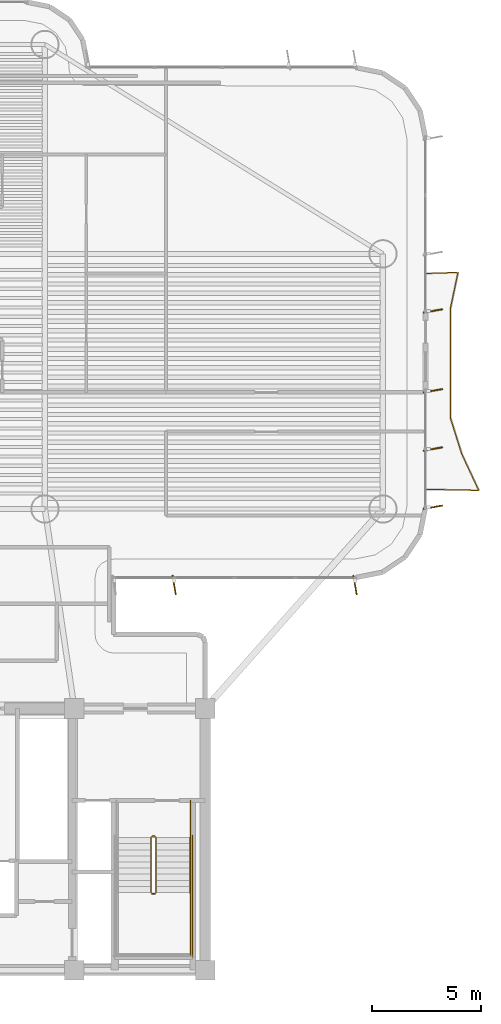
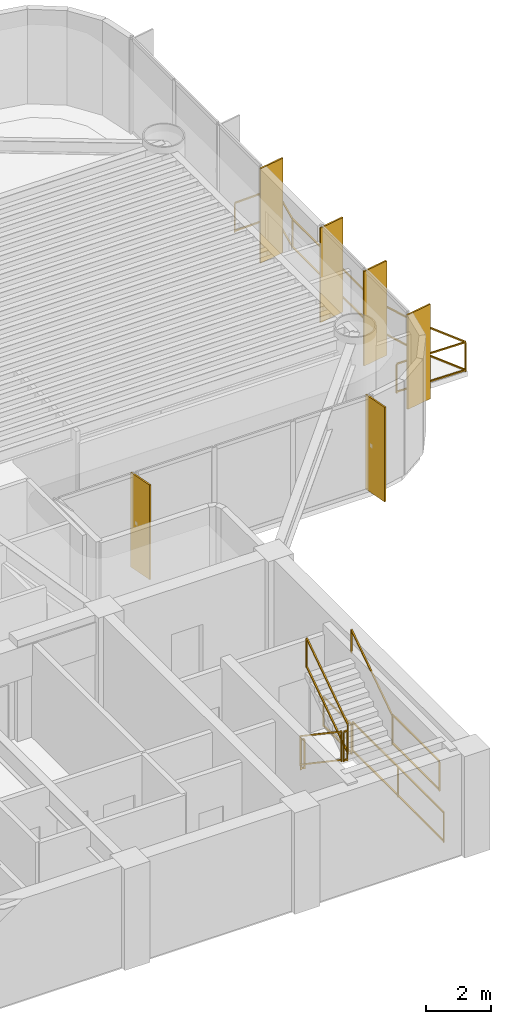
# One storey, part 15 of 16: 9 railings, 6 shading devices.
"""IFC4 building model written with IfcOpenShell, lengths in metres."""

from ifc_helpers import new_model, si_unit, direction, frame, origin, origin_2d, place, context, subcontext, project, spatial, rectangle, extrude, source, transform, mapped, material, layer, layer_set, material_profile, profile_set, type_object, element, save


model = new_model("IFC4")

# Units and contexts
model_context = context("Model", 3, precision=1e-05, world=origin(), true_north=direction((0.0, 1.0)))
body_context = subcontext(model_context, "Body", "Model", "MODEL_VIEW")
ifc_project = project(units=[si_unit("LENGTHUNIT", "METRE"), si_unit("AREAUNIT", "SQUARE_METRE"), si_unit("VOLUMEUNIT", "CUBIC_METRE"), si_unit("PLANEANGLEUNIT", "RADIAN"), si_unit("MASSUNIT", "GRAM", prefix="KILO")], contexts=[model_context])

# Site, building, storey
site_placement = place(None, origin())
site = spatial("IfcSite", under=ifc_project, at=site_placement, CompositionType="ELEMENT")
building_placement = place(site_placement, origin())
building = spatial("IfcBuilding", under=site, at=building_placement, Name="Brelvock Crest Care Tower", CompositionType="ELEMENT")
storey_placement = place(building_placement, frame((0.0, 0.0, 138.9599609375)))
storey = spatial("IfcBuildingStorey", under=building, at=storey_placement, Name="L35", CompositionType="ELEMENT", Elevation=138.9599609375)

# Railings
ifc_material_1 = material(Name="Dark Glass Double Glazed Low-E", Category="glass")
ifc_layer_1 = layer(ifc_material_1, 0.06005859375, Name="RL-BAL1")
ifc_layer_set_1 = layer_set([ifc_layer_1], Name="Dark Glass Double Glazed Low-E")
railing_type_1 = type_object("IfcRailingType", Name="RL-BAL1", PredefinedType="BALUSTRADE", material=ifc_layer_set_1)
railing_1_placement = place(storey_placement, frame((58.139892578125, 28.050048828125, 0.004150390625)))
element("IfcRailing", 1, at=railing_1_placement, inside=storey, type_object=railing_type_1, Name="L35 Safety Balustrade WB-E", PredefinedType="BALUSTRADE", context=body_context, shape_type="SweptSolid", body=[
    extrude(rectangle(XDim=0.048095703125, YDim=0.048095703125, at=origin_2d()), frame((0.001953125, 0.0, 1.09619140625), z_axis=(0.999783496855, -0.020807676838, 0.0), x_axis=(0.020807676838, 0.999783496855, 0.0)), (0.0, 0.0, 1.0), 2.4013671875),
    extrude(rectangle(XDim=0.048095703125, YDim=0.048095703125, at=origin_2d()), frame((0.001953125, 0.0, 0.054931640625), z_axis=(0.999783496855, -0.020807676838, 0.0), x_axis=(0.020807676838, 0.999783496855, 0.0)), (0.0, 0.0, 1.0), 2.4013671875),
    extrude(rectangle(XDim=0.048095703125, YDim=0.048095703125, at=origin_2d()), frame((2.404052734375, -0.04833984375, 1.09619140625), z_axis=(-0.423219639169, 0.906027117156, 0.0), x_axis=(-0.906027117156, -0.423219639169, 0.0)), (0.0, 0.0, 1.0), 1.835693359375),
    extrude(rectangle(XDim=0.048095703125, YDim=0.048095703125, at=origin_2d()), frame((2.404052734375, -0.04833984375, 0.054931640625), z_axis=(-0.423219639169, 0.906027117156, 0.0), x_axis=(-0.906027117156, -0.423219639169, 0.0)), (0.0, 0.0, 1.0), 1.835693359375),
    extrude(rectangle(XDim=0.048095703125, YDim=0.048095703125, at=origin_2d()), frame((1.625732421875, 1.61865234375, 1.09619140625), z_axis=(-0.30105782115, 0.953605887316, 0.0), x_axis=(-0.953605887316, -0.30105782115, 0.0)), (0.0, 0.0, 1.0), 1.74365234375),
    extrude(rectangle(XDim=0.048095703125, YDim=0.048095703125, at=origin_2d()), frame((1.625732421875, 1.61865234375, 0.054931640625), z_axis=(-0.30105782115, 0.953605887316, 0.0), x_axis=(-0.953605887316, -0.30105782115, 0.0)), (0.0, 0.0, 1.0), 1.74365234375),
    extrude(rectangle(XDim=0.048095703125, YDim=0.048095703125, at=origin_2d()), frame((1.10009765625, 3.28515625, 1.09619140625), z_axis=(0.0, 1.0, 0.0), x_axis=(-1.0, 0.0, 0.0)), (0.0, 0.0, 1.0), 4.99609375),
    extrude(rectangle(XDim=0.048095703125, YDim=0.048095703125, at=origin_2d()), frame((1.10009765625, 3.28515625, 0.054931640625), z_axis=(0.0, 1.0, 0.0), x_axis=(-1.0, 0.0, 0.0)), (0.0, 0.0, 1.0), 4.99609375),
    extrude(rectangle(XDim=0.048095703125, YDim=0.048095703125, at=origin_2d()), frame((1.1005859375, 8.28515625, 1.09619140625), z_axis=(0.205562541209, 0.978643981053, 0.0), x_axis=(-0.978643981053, 0.205562541209, 0.0)), (0.0, 0.0, 1.0), 1.69921875),
    extrude(rectangle(XDim=0.048095703125, YDim=0.048095703125, at=origin_2d()), frame((1.1005859375, 8.28515625, 0.054931640625), z_axis=(0.205562541209, 0.978643981053, 0.0), x_axis=(-0.978643981053, 0.205562541209, 0.0)), (0.0, 0.0, 1.0), 1.69921875),
    extrude(rectangle(XDim=0.048095703125, YDim=0.048095703125, at=origin_2d()), frame((1.4482421875, 9.949951171875, 1.09619140625), z_axis=(-0.999404999824, -0.034491249994, 0.0), x_axis=(0.034491249994, -0.999404999824, 0.0)), (0.0, 0.0, 1.0), 1.447021484375),
    extrude(rectangle(XDim=0.048095703125, YDim=0.048095703125, at=origin_2d()), frame((1.4482421875, 9.949951171875, 0.054931640625), z_axis=(-0.999404999824, -0.034491249994, 0.0), x_axis=(0.034491249994, -0.999404999824, 0.0)), (0.0, 0.0, 1.0), 1.447021484375),
    extrude(rectangle(XDim=0.0419921875, YDim=0.0419921875, at=origin_2d()), origin(), (0.0, 0.0, 1.0), 1.070068359375),
    extrude(rectangle(XDim=0.0419921875, YDim=0.0419921875, at=origin_2d()), frame((2.40478515625, -0.050048828125, 0.0)), (0.0, 0.0, 1.0), 1.070068359375),
    extrude(rectangle(XDim=0.0419921875, YDim=0.0419921875, at=origin_2d()), frame((1.626220703125, 1.61669921875, 0.0)), (0.0, 0.0, 1.0), 1.070068359375),
    extrude(rectangle(XDim=0.0419921875, YDim=0.0419921875, at=origin_2d()), frame((1.10009765625, 3.283203125, 0.0)), (0.0, 0.0, 1.0), 1.070068359375),
    extrude(rectangle(XDim=0.0419921875, YDim=0.0419921875, at=origin_2d()), frame((1.10009765625, 5.783203125, 0.0)), (0.0, 0.0, 1.0), 1.070068359375),
    extrude(rectangle(XDim=0.0419921875, YDim=0.0419921875, at=origin_2d()), frame((1.10009765625, 8.283203125, 0.0)), (0.0, 0.0, 1.0), 1.070068359375),
    extrude(rectangle(XDim=0.0419921875, YDim=0.0419921875, at=origin_2d()), frame((1.4501953125, 9.949951171875, 0.0)), (0.0, 0.0, 1.0), 1.070068359375),
    extrude(rectangle(XDim=0.0419921875, YDim=0.0419921875, at=origin_2d()), frame((0.0, 9.89990234375, 0.0)), (0.0, 0.0, 1.0), 1.070068359375),
])
ifc_material_2 = material(Name="Steel Grade 350", Category="steel")
ifc_layer_2 = layer(ifc_material_2, 0.050048828125, Name="RL-STG1")
ifc_layer_set_2 = layer_set([ifc_layer_2], Name="Steel Grade 350")
railing_type_2 = type_object("IfcRailingType", Name="RL-STG1", PredefinedType="GUARDRAIL", material=ifc_layer_set_2)
railing_2_placement = place(storey_placement, frame((45.52001953125, 12.080078125, 0.18896484375)))
element("IfcRailing", 2, at=railing_2_placement, inside=storey, type_object=railing_type_2, Name="L35 ST-2 stair guard 1", PredefinedType="GUARDRAIL", context=body_context, shape_type="SweptSolid", body=[
    extrude(rectangle(XDim=0.048095703125, YDim=0.048095703125, at=origin_2d()), frame((0.0, -0.001708984375, 1.116943359375), z_axis=(0.0, -0.82882447046, 0.559508710537), x_axis=(1.0, 0.0, 0.0)), (0.0, 0.0, 1.0), 3.036376953125),
    extrude(rectangle(XDim=0.048095703125, YDim=0.048095703125, at=origin_2d()), frame((0.0, -0.001708984375, 0.05615234375), z_axis=(0.0, -0.82882447046, 0.559508710537), x_axis=(1.0, 0.0, 0.0)), (0.0, 0.0, 1.0), 3.036376953125),
    extrude(rectangle(XDim=0.0419921875, YDim=0.0419921875, at=origin_2d()), origin(), (0.0, 0.0, 1.0), 1.08984375),
    extrude(rectangle(XDim=0.0419921875, YDim=0.0419921875, at=origin_2d()), frame((0.0, -2.52001953125, 1.701171875)), (0.0, 0.0, 1.0), 1.08984375),
])
railing_3_placement = place(storey_placement, frame((45.570068359375, 9.510009765625, 1.89013671875)))
element("IfcRailing", 3, at=railing_3_placement, inside=storey, type_object=railing_type_2, Name="L35 ST-2 stair guard 2", PredefinedType="GUARDRAIL", context=body_context, shape_type="SweptSolid", body=[
    extrude(rectangle(XDim=0.048095703125, YDim=0.048095703125, at=origin_2d()), frame((0.001953125, 0.0, 1.11572265625), z_axis=(1.0, 0.0, 0.0), x_axis=(0.0, 1.0, 0.0)), (0.0, 0.0, 1.0), 0.115966796875),
    extrude(rectangle(XDim=0.048095703125, YDim=0.048095703125, at=origin_2d()), frame((0.001953125, 0.0, 0.054931640625), z_axis=(1.0, 0.0, 0.0), x_axis=(0.0, 1.0, 0.0)), (0.0, 0.0, 1.0), 0.115966796875),
    extrude(rectangle(XDim=0.0419921875, YDim=0.0419921875, at=origin_2d()), origin(), (0.0, 0.0, 1.0), 1.08984375),
    extrude(rectangle(XDim=0.0419921875, YDim=0.0419921875, at=origin_2d()), frame((0.119873046875, 0.0, 0.0)), (0.0, 0.0, 1.0), 1.08984375),
])
railing_4_placement = place(storey_placement, frame((47.320068359375, 9.56005859375, 1.89013671875)))
element("IfcRailing", 4, at=railing_4_placement, inside=storey, type_object=railing_type_2, Name="L35 ST-2 stair guard 4", PredefinedType="GUARDRAIL", context=body_context, shape_type="SweptSolid", body=[
    extrude(rectangle(XDim=0.048095703125, YDim=0.048095703125, at=origin_2d()), frame((0.0, -0.001953125, 1.11572265625), z_axis=(0.0, -1.0, 0.0), x_axis=(1.0, 0.0, 0.0)), (0.0, 0.0, 1.0), 2.856201171875),
    extrude(rectangle(XDim=0.048095703125, YDim=0.048095703125, at=origin_2d()), frame((0.0, -0.001953125, 0.054931640625), z_axis=(0.0, -1.0, 0.0), x_axis=(1.0, 0.0, 0.0)), (0.0, 0.0, 1.0), 2.856201171875),
    extrude(rectangle(XDim=0.0419921875, YDim=0.0419921875, at=origin_2d()), origin(), (0.0, 0.0, 1.0), 1.08984375),
    extrude(rectangle(XDim=0.0419921875, YDim=0.0419921875, at=origin_2d()), frame((0.0, -2.860107421875, 0.0)), (0.0, 0.0, 1.0), 1.08984375),
])
railing_5_placement = place(storey_placement, frame((45.739990234375, 9.56005859375, 2.0791015625)))
element("IfcRailing", 5, at=railing_5_placement, inside=storey, type_object=railing_type_2, Name="L35 ST-2 stair guard 6", PredefinedType="GUARDRAIL", context=body_context, shape_type="SweptSolid", body=[
    extrude(rectangle(XDim=0.048095703125, YDim=0.048095703125, at=origin_2d()), frame((0.0, 0.001708984375, 1.116943359375), z_axis=(0.0, 0.828861706735, 0.559453546873), x_axis=(-1.0, 0.0, 0.0)), (0.0, 0.0, 1.0), 3.036376953125),
    extrude(rectangle(XDim=0.048095703125, YDim=0.048095703125, at=origin_2d()), frame((0.0, 0.001708984375, 0.05615234375), z_axis=(0.0, 0.828861706735, 0.559453546873), x_axis=(-1.0, 0.0, 0.0)), (0.0, 0.0, 1.0), 3.036376953125),
    extrude(rectangle(XDim=0.0419921875, YDim=0.0419921875, at=origin_2d()), origin(), (0.0, 0.0, 1.0), 1.08984375),
    extrude(rectangle(XDim=0.0419921875, YDim=0.0419921875, at=origin_2d()), frame((0.0, 2.52001953125, 1.700927734375)), (0.0, 0.0, 1.0), 1.08984375),
])
railing_6_placement = place(storey_placement, frame((45.570068359375, 12.1298828125, 0.0)))
element("IfcRailing", 6, at=railing_6_placement, inside=storey, type_object=railing_type_2, Name="L35 ST-2 stair guard 7", PredefinedType="GUARDRAIL", context=body_context, shape_type="SweptSolid", body=[
    extrude(rectangle(XDim=0.048095703125, YDim=0.048095703125, at=origin_2d()), frame((0.001953125, 0.0, 1.11572265625), z_axis=(1.0, 0.0, 0.0), x_axis=(0.0, 1.0, 0.0)), (0.0, 0.0, 1.0), 0.115966796875),
    extrude(rectangle(XDim=0.048095703125, YDim=0.048095703125, at=origin_2d()), frame((0.001953125, 0.0, 0.054931640625), z_axis=(1.0, 0.0, 0.0), x_axis=(0.0, 1.0, 0.0)), (0.0, 0.0, 1.0), 0.115966796875),
    extrude(rectangle(XDim=0.0419921875, YDim=0.0419921875, at=origin_2d()), origin(), (0.0, 0.0, 1.0), 1.08984375),
    extrude(rectangle(XDim=0.0419921875, YDim=0.0419921875, at=origin_2d()), frame((0.119873046875, 0.0, 0.0)), (0.0, 0.0, 1.0), 1.08984375),
])
railing_7_placement = place(storey_placement, frame((47.320068359375, 13.780029296875, 0.0)))
element("IfcRailing", 7, at=railing_7_placement, inside=storey, type_object=railing_type_2, Name="L35 ST-2 stair guard 9", PredefinedType="GUARDRAIL", context=body_context, shape_type="SweptSolid", body=[
    extrude(rectangle(XDim=0.048095703125, YDim=0.048095703125, at=origin_2d()), frame((0.0, -0.001953125, 1.11572265625), z_axis=(0.0, -1.0, 0.0), x_axis=(1.0, 0.0, 0.0)), (0.0, 0.0, 1.0), 1.696044921875),
    extrude(rectangle(XDim=0.048095703125, YDim=0.048095703125, at=origin_2d()), frame((0.0, -0.001953125, 0.054931640625), z_axis=(0.0, -1.0, 0.0), x_axis=(1.0, 0.0, 0.0)), (0.0, 0.0, 1.0), 1.696044921875),
    extrude(rectangle(XDim=0.0419921875, YDim=0.0419921875, at=origin_2d()), origin(), (0.0, 0.0, 1.0), 1.08984375),
    extrude(rectangle(XDim=0.0419921875, YDim=0.0419921875, at=origin_2d()), frame((0.0, -1.699951171875, 0.0)), (0.0, 0.0, 1.0), 1.08984375),
])
railing_8_placement = place(storey_placement, frame((47.419921875, 12.179931640625, 0.0)))
element("IfcRailing", 8, at=railing_8_placement, inside=storey, type_object=railing_type_2, Name="L35 ST-2 stair guard 11", PredefinedType="GUARDRAIL", context=body_context, shape_type="SweptSolid", body=[
    extrude(rectangle(XDim=0.048095703125, YDim=0.048095703125, at=origin_2d()), frame((0.0, -0.001953125, 1.11572265625), z_axis=(0.0, -1.0, 0.0), x_axis=(1.0, 0.0, 0.0)), (0.0, 0.0, 1.0), 5.575927734375),
    extrude(rectangle(XDim=0.048095703125, YDim=0.048095703125, at=origin_2d()), frame((0.0, -0.001953125, 0.054931640625), z_axis=(0.0, -1.0, 0.0), x_axis=(1.0, 0.0, 0.0)), (0.0, 0.0, 1.0), 5.575927734375),
    extrude(rectangle(XDim=0.0419921875, YDim=0.0419921875, at=origin_2d()), origin(), (0.0, 0.0, 1.0), 1.08984375),
    extrude(rectangle(XDim=0.0419921875, YDim=0.0419921875, at=origin_2d()), frame((0.0, -2.7900390625, 0.0)), (0.0, 0.0, 1.0), 1.08984375),
    extrude(rectangle(XDim=0.0419921875, YDim=0.0419921875, at=origin_2d()), frame((0.0, -5.579833984375, 0.0)), (0.0, 0.0, 1.0), 1.08984375),
])
ifc_layer_3 = layer(ifc_material_2, 0.048095703125, Name="RL-STH1")
ifc_layer_set_3 = layer_set([ifc_layer_3], Name="Steel Grade 350")
railing_type_3 = type_object("IfcRailingType", Name="RL-STH1", PredefinedType="HANDRAIL", material=ifc_layer_set_3)
railing_9_placement = place(storey_placement, frame((47.320068359375, 9.56005859375, 2.0791015625)))
element("IfcRailing", 9, at=railing_9_placement, inside=storey, type_object=railing_type_3, Name="L35 ST-2 stair handrail 2", PredefinedType="HANDRAIL", context=body_context, shape_type="SweptSolid", body=[
    extrude(rectangle(XDim=0.048095703125, YDim=0.048095703125, at=origin_2d()), frame((0.0, 0.001708984375, 0.876953125), z_axis=(0.0, 0.828861706735, 0.559453546873), x_axis=(-1.0, 0.0, 0.0)), (0.0, 0.0, 1.0), 3.036376953125),
    extrude(rectangle(XDim=0.0419921875, YDim=0.0419921875, at=origin_2d()), origin(), (0.0, 0.0, 1.0), 0.849853515625),
    extrude(rectangle(XDim=0.0419921875, YDim=0.0419921875, at=origin_2d()), frame((0.0, 2.52001953125, 1.700927734375)), (0.0, 0.0, 1.0), 0.849853515625),
])

# Shading devices
ifc_material_3 = material(Name="Aluminium 6063-T6", Category="aluminium")
ifc_material_profile = material_profile(ifc_material_3, rectangle(XDim=0.054931640625, YDim=0.89990234375, at=origin_2d()), Name="FIN55x900")
ifc_profile_set = profile_set([ifc_material_profile], Name="Aluminium 6063-T6")
shading_device_type = type_object("IfcShadingDeviceType", Name="SHD-FIN1", PredefinedType="USERDEFINED", material=ifc_profile_set)
shared_shape = source(origin(), body_context, "Body", "SweptSolid", [
    extrude(rectangle(XDim=0.054931640625, YDim=0.89990234375, at=origin_2d()), origin(), (0.0, 0.0, 1.0), 3.530029296875),
])
for number, where, z_axis, x_axis, name in (
    (10, (58.43994140625, 36.22998046875, 0.0), (0.0, 0.0, 1.0), (0.173648177667, -0.984807753012, 0.0), "L35 Vertical Sunshade Fin E39A-04"),
    (11, (58.43994140625, 32.570068359375, 0.0), (0.0, 0.0, 1.0), (0.173648177667, -0.984807753012, 0.0), "L35 Vertical Sunshade Fin E39B-01"),
    (12, (58.43994140625, 29.89990234375, 0.0), (0.0, 0.0, 1.0), (0.173648177667, -0.984807753012, 0.0), "L35 Vertical Sunshade Fin E39B-02"),
    (13, (58.43994140625, 27.22998046875, 0.0), (0.0, 0.0, 1.0), (0.173648177667, -0.984807753012, 0.0), "L35 Vertical Sunshade Fin E39B-03"),
    (14, (54.8701171875, 23.659912109375, 0.0), (0.0, 0.0, 1.0), (-0.984807753012, -0.173648177667, 0.0), "L35 Vertical Sunshade Fin E44-01"),
    (15, (46.574951171875, 23.659912109375, 0.0), (0.0, 0.0, 1.0), (-0.984807753012, -0.173648177667, 0.0), "L35 Vertical Sunshade Fin E44-04"),
):
    element("IfcShadingDevice", number, at=place(storey_placement, frame(where, z_axis=z_axis, x_axis=x_axis)), inside=storey, type_object=shading_device_type, Name=name, ObjectType="FIN", PredefinedType="USERDEFINED", context=body_context, shape_type="MappedRepresentation", body=[
        mapped(shared_shape, transform((0.0, 0.0, 0.0), x_axis=(1.0, 0.0, 0.0), y_axis=(0.0, 1.0, 0.0), z_axis=(0.0, 0.0, 1.0), scale=1.0)),
    ])

save(model, "model.ifc")
